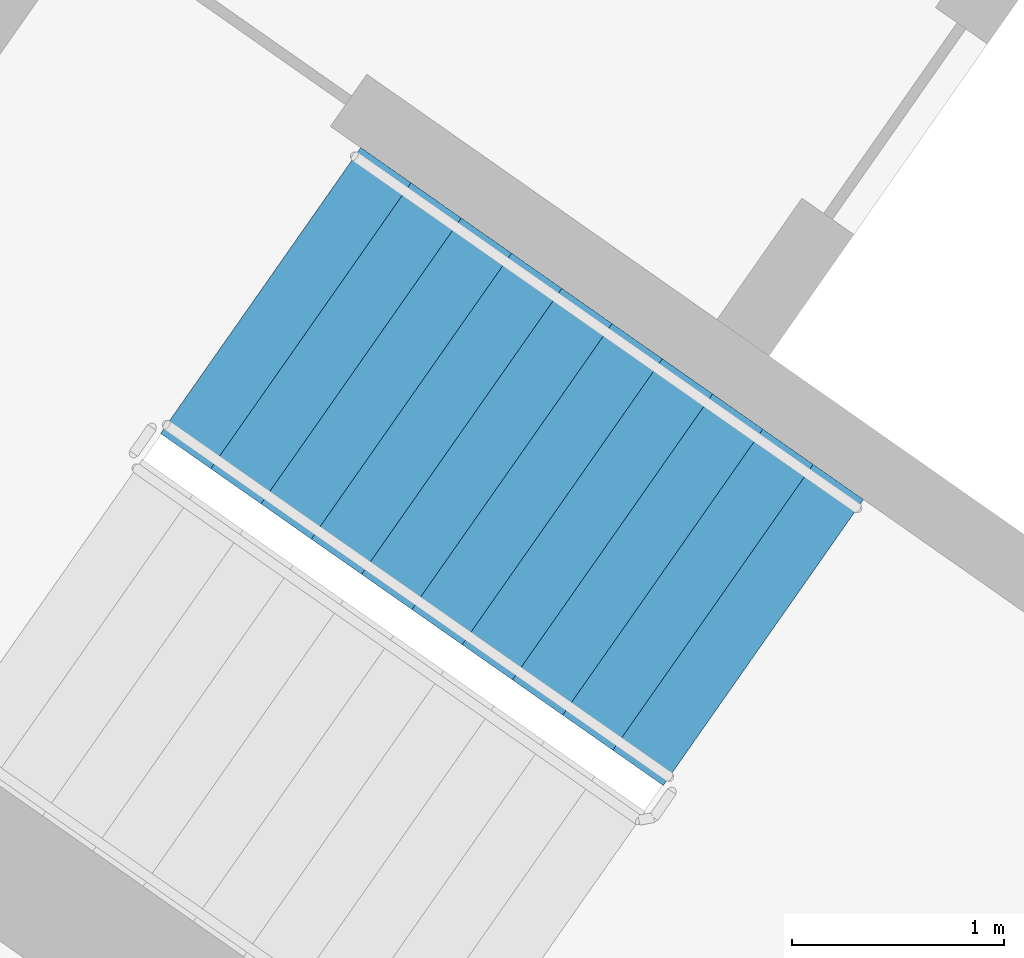
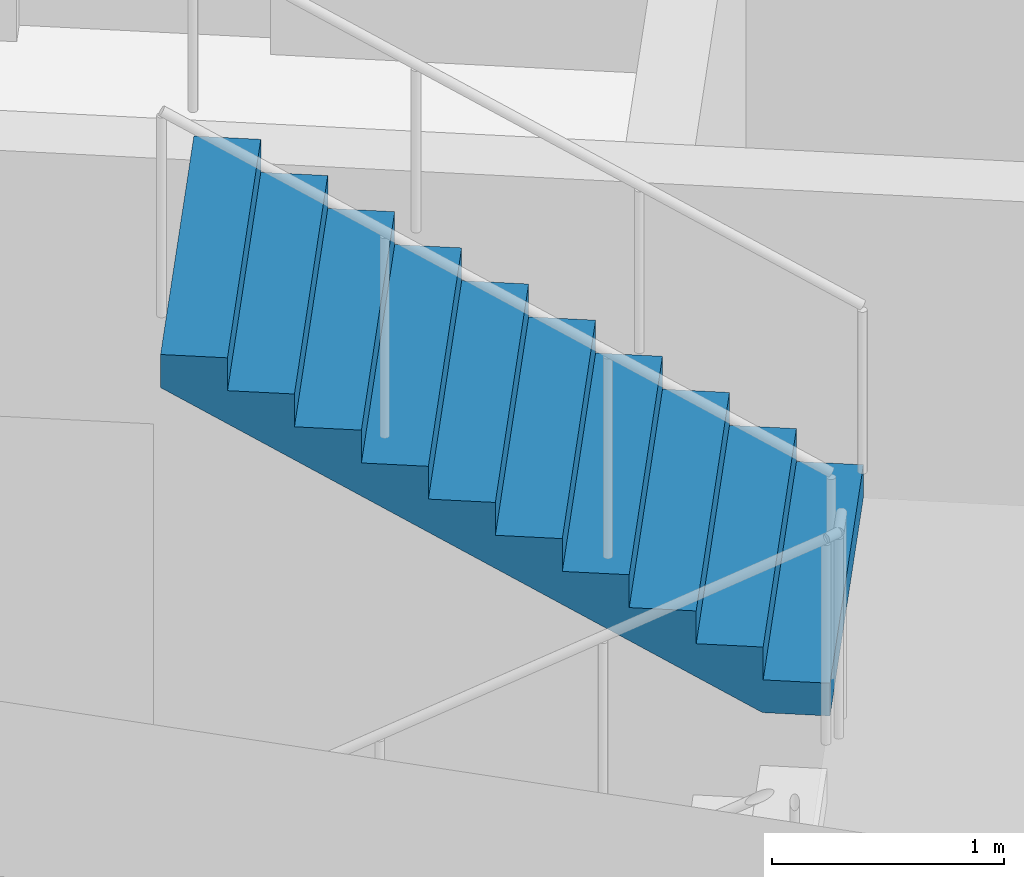
# One storey, part 10 of 28: 1 stair flight, 1 element without a shape of its own.
"""IFC4 building model written with IfcOpenShell, lengths in metres."""

from ifc_helpers import new_model, si_unit, direction, frame, origin, place, context, subcontext, project, spatial, faceted_brep, material, type_object, element, aggregate, save


model = new_model("IFC4")

# Units and contexts
model_context = context("Model", 3, precision=1e-05, world=origin(), true_north=direction((0.0, 1.0)))
body_context = subcontext(model_context, "Body", "Model", "MODEL_VIEW")
ifc_project = project(units=[si_unit("LENGTHUNIT", "METRE"), si_unit("AREAUNIT", "SQUARE_METRE"), si_unit("VOLUMEUNIT", "CUBIC_METRE"), si_unit("PLANEANGLEUNIT", "RADIAN"), si_unit("MASSUNIT", "GRAM", prefix="KILO")], contexts=[model_context])

# Site, building, storey
site_placement = place(None, origin())
site = spatial("IfcSite", under=ifc_project, at=site_placement, CompositionType="ELEMENT")
building_placement = place(site_placement, origin())
building = spatial("IfcBuilding", under=site, at=building_placement, Name="Qamariyya Broadcast Tower", CompositionType="ELEMENT")
storey_placement = place(building_placement, frame((0.0, 0.0, 245.5)))
storey = spatial("IfcBuildingStorey", under=building, at=storey_placement, Name="L59", CompositionType="ELEMENT", Elevation=245.5)

# Stair, stair flight
ifc_material = material(Name="Concrete C50/60", Category="concrete")
stair_type = type_object("IfcStairType", Name="Exit stair 22 risers of 173 mm", PredefinedType="HALF_TURN_STAIR", material=ifc_material)
stair_placement = place(storey_placement, origin())
stair = element("IfcStair", 1, at=stair_placement, inside=storey, type_object=stair_type, Name="L59 Stair W1", PredefinedType="HALF_TURN_STAIR")
stair_flight_type = type_object("IfcStairFlightType", Name="Exit stair flight 11 risers of 173 mm", PredefinedType="STRAIGHT", material=ifc_material)
stair_flight_placement = place(storey_placement, frame((-43.660888671875, -57.17138671875, 1.89990234375), z_axis=(0.0, 0.0, 1.0), x_axis=(-0.819152044289, 0.573576436351, 0.0)))
stair_flight = element("IfcStairFlight", 2, at=stair_flight_placement, type_object=stair_flight_type, Name="ST-W1 flight 2", NumberOfRisers=11, NumberOfTreads=10, PredefinedType="STRAIGHT", RiserHeight=0.172727273, TreadLength=0.29, context=body_context, shape_type="Brep", body=[
    faceted_brep([(0.0, 0.824951171875, 0.0), (0.0, 0.824951171875, 0.172607421875), (0.2900390625, 0.824951171875, 0.172607421875), (0.2900390625, 0.824951171875, 0.345458984375), (0.580078125, 0.824951171875, 0.345458984375), (0.580078125, 0.824951171875, 0.51806640625), (0.8701171875, 0.824951171875, 0.51806640625), (0.8701171875, 0.824951171875, 0.69091796875), (1.159912109375, 0.824951171875, 0.69091796875), (1.159912109375, 0.824951171875, 0.863525390625), (1.449951171875, 0.824951171875, 0.863525390625), (1.449951171875, 0.824951171875, 1.036376953125), (1.739990234375, 0.824951171875, 1.036376953125), (1.739990234375, 0.824951171875, 1.208984375), (2.030029296875, 0.824951171875, 1.208984375), (2.030029296875, 0.824951171875, 1.3818359375), (2.320068359375, 0.824951171875, 1.3818359375), (2.320068359375, 0.824951171875, 1.554443359375), (2.610107421875, 0.824951171875, 1.554443359375), (2.610107421875, 0.824951171875, 1.727294921875), (2.89990234375, 0.824951171875, 1.727294921875), (2.89990234375, 0.824951171875, 1.552734375), (0.29296875, 0.824951171875, 0.0), (0.29296875, -0.824951171875, 0.0), (2.89990234375, -0.824951171875, 1.552734375), (2.89990234375, -0.824951171875, 1.727294921875), (2.610107421875, -0.824951171875, 1.727294921875), (2.610107421875, -0.824951171875, 1.554443359375), (2.320068359375, -0.824951171875, 1.554443359375), (2.320068359375, -0.824951171875, 1.3818359375), (2.030029296875, -0.824951171875, 1.3818359375), (2.030029296875, -0.824951171875, 1.208984375), (1.739990234375, -0.824951171875, 1.208984375), (1.739990234375, -0.824951171875, 1.036376953125), (1.449951171875, -0.824951171875, 1.036376953125), (1.449951171875, -0.824951171875, 0.863525390625), (1.159912109375, -0.824951171875, 0.863525390625), (1.159912109375, -0.824951171875, 0.69091796875), (0.8701171875, -0.824951171875, 0.69091796875), (0.8701171875, -0.824951171875, 0.51806640625), (0.580078125, -0.824951171875, 0.51806640625), (0.580078125, -0.824951171875, 0.345458984375), (0.2900390625, -0.824951171875, 0.345458984375), (0.2900390625, -0.824951171875, 0.172607421875), (0.0, -0.824951171875, 0.172607421875), (0.0, -0.824951171875, 0.0), (0.0, 0.10009765625, 0.0), (0.0, 0.086669921875, 0.0), (0.0, 0.0732421875, 0.0), (0.0, 0.06005859375, 0.0), (0.0, 0.046630859375, 0.0), (0.0, 0.033447265625, 0.0), (0.0, 0.02001953125, 0.0), (0.0, 0.006591796875, 0.0), (0.0, -0.006591796875, 0.0), (0.0, -0.02001953125, 0.0), (0.0, -0.033447265625, 0.0), (0.0, -0.046630859375, 0.0), (0.0, -0.06005859375, 0.0), (0.0, -0.0732421875, 0.0), (0.0, -0.086669921875, 0.0), (0.0, -0.10009765625, 0.0), (0.0, -0.10009765625, 0.172607421875), (0.0, -0.086669921875, 0.172607421875), (0.0, -0.0732421875, 0.172607421875), (0.0, -0.06005859375, 0.172607421875), (0.0, -0.046630859375, 0.172607421875), (0.0, -0.033447265625, 0.172607421875), (0.0, -0.02001953125, 0.172607421875), (0.0, -0.006591796875, 0.172607421875), (0.0, 0.006591796875, 0.172607421875), (0.0, 0.02001953125, 0.172607421875), (0.0, 0.033447265625, 0.172607421875), (0.0, 0.046630859375, 0.172607421875), (0.0, 0.06005859375, 0.172607421875), (0.0, 0.0732421875, 0.172607421875), (0.0, 0.086669921875, 0.172607421875), (0.0, 0.10009765625, 0.172607421875), (0.2900390625, -0.10009765625, 0.172607421875), (0.2900390625, -0.086669921875, 0.172607421875), (0.2900390625, -0.0732421875, 0.172607421875), (0.2900390625, -0.06005859375, 0.172607421875), (0.2900390625, -0.046630859375, 0.172607421875), (0.2900390625, -0.033447265625, 0.172607421875), (0.2900390625, -0.02001953125, 0.172607421875), (0.2900390625, -0.006591796875, 0.172607421875), (0.2900390625, 0.006591796875, 0.172607421875), (0.2900390625, 0.02001953125, 0.172607421875), (0.2900390625, 0.033447265625, 0.172607421875), (0.2900390625, 0.046630859375, 0.172607421875), (0.2900390625, 0.06005859375, 0.172607421875), (0.2900390625, 0.0732421875, 0.172607421875), (0.2900390625, 0.086669921875, 0.172607421875), (0.2900390625, 0.10009765625, 0.172607421875), (0.2900390625, -0.10009765625, 0.345458984375), (0.2900390625, -0.086669921875, 0.345458984375), (0.2900390625, -0.0732421875, 0.345458984375), (0.2900390625, -0.06005859375, 0.345458984375), (0.2900390625, -0.046630859375, 0.345458984375), (0.2900390625, -0.033447265625, 0.345458984375), (0.2900390625, -0.02001953125, 0.345458984375), (0.2900390625, -0.006591796875, 0.345458984375), (0.2900390625, 0.006591796875, 0.345458984375), (0.2900390625, 0.02001953125, 0.345458984375), (0.2900390625, 0.033447265625, 0.345458984375), (0.2900390625, 0.046630859375, 0.345458984375), (0.2900390625, 0.06005859375, 0.345458984375), (0.2900390625, 0.0732421875, 0.345458984375), (0.2900390625, 0.086669921875, 0.345458984375), (0.2900390625, 0.10009765625, 0.345458984375), (0.580078125, -0.10009765625, 0.345458984375), (0.580078125, -0.086669921875, 0.345458984375), (0.580078125, -0.0732421875, 0.345458984375), (0.580078125, -0.06005859375, 0.345458984375), (0.580078125, -0.046630859375, 0.345458984375), (0.580078125, -0.033447265625, 0.345458984375), (0.580078125, -0.02001953125, 0.345458984375), (0.580078125, -0.006591796875, 0.345458984375), (0.580078125, 0.006591796875, 0.345458984375), (0.580078125, 0.02001953125, 0.345458984375), (0.580078125, 0.033447265625, 0.345458984375), (0.580078125, 0.046630859375, 0.345458984375), (0.580078125, 0.06005859375, 0.345458984375), (0.580078125, 0.0732421875, 0.345458984375), (0.580078125, 0.086669921875, 0.345458984375), (0.580078125, 0.10009765625, 0.345458984375), (0.580078125, -0.10009765625, 0.51806640625), (0.580078125, -0.086669921875, 0.51806640625), (0.580078125, -0.0732421875, 0.51806640625), (0.580078125, -0.06005859375, 0.51806640625), (0.580078125, -0.046630859375, 0.51806640625), (0.580078125, -0.033447265625, 0.51806640625), (0.580078125, -0.02001953125, 0.51806640625), (0.580078125, -0.006591796875, 0.51806640625), (0.580078125, 0.006591796875, 0.51806640625), (0.580078125, 0.02001953125, 0.51806640625), (0.580078125, 0.033447265625, 0.51806640625), (0.580078125, 0.046630859375, 0.51806640625), (0.580078125, 0.06005859375, 0.51806640625), (0.580078125, 0.0732421875, 0.51806640625), (0.580078125, 0.086669921875, 0.51806640625), (0.580078125, 0.10009765625, 0.51806640625), (0.8701171875, -0.10009765625, 0.51806640625), (0.8701171875, -0.086669921875, 0.51806640625), (0.8701171875, -0.0732421875, 0.51806640625), (0.8701171875, -0.06005859375, 0.51806640625), (0.8701171875, -0.046630859375, 0.51806640625), (0.8701171875, -0.033447265625, 0.51806640625), (0.8701171875, -0.02001953125, 0.51806640625), (0.8701171875, -0.006591796875, 0.51806640625), (0.8701171875, 0.006591796875, 0.51806640625), (0.8701171875, 0.02001953125, 0.51806640625), (0.8701171875, 0.033447265625, 0.51806640625), (0.8701171875, 0.046630859375, 0.51806640625), (0.8701171875, 0.06005859375, 0.51806640625), (0.8701171875, 0.0732421875, 0.51806640625), (0.8701171875, 0.086669921875, 0.51806640625), (0.8701171875, 0.10009765625, 0.51806640625), (0.8701171875, -0.10009765625, 0.69091796875), (0.8701171875, -0.086669921875, 0.69091796875), (0.8701171875, -0.0732421875, 0.69091796875), (0.8701171875, -0.06005859375, 0.69091796875), (0.8701171875, -0.046630859375, 0.69091796875), (0.8701171875, -0.033447265625, 0.69091796875), (0.8701171875, -0.02001953125, 0.69091796875), (0.8701171875, -0.006591796875, 0.69091796875), (0.8701171875, 0.006591796875, 0.69091796875), (0.8701171875, 0.02001953125, 0.69091796875), (0.8701171875, 0.033447265625, 0.69091796875), (0.8701171875, 0.046630859375, 0.69091796875), (0.8701171875, 0.06005859375, 0.69091796875), (0.8701171875, 0.0732421875, 0.69091796875), (0.8701171875, 0.086669921875, 0.69091796875), (0.8701171875, 0.10009765625, 0.69091796875), (1.159912109375, -0.10009765625, 0.69091796875), (1.159912109375, -0.086669921875, 0.69091796875), (1.159912109375, -0.0732421875, 0.69091796875), (1.159912109375, -0.06005859375, 0.69091796875), (1.159912109375, -0.046630859375, 0.69091796875), (1.159912109375, -0.033447265625, 0.69091796875), (1.159912109375, -0.02001953125, 0.69091796875), (1.159912109375, -0.006591796875, 0.69091796875), (1.159912109375, 0.006591796875, 0.69091796875), (1.159912109375, 0.02001953125, 0.69091796875), (1.159912109375, 0.033447265625, 0.69091796875), (1.159912109375, 0.046630859375, 0.69091796875), (1.159912109375, 0.06005859375, 0.69091796875), (1.159912109375, 0.0732421875, 0.69091796875), (1.159912109375, 0.086669921875, 0.69091796875), (1.159912109375, 0.10009765625, 0.69091796875), (1.159912109375, -0.10009765625, 0.863525390625), (1.159912109375, -0.086669921875, 0.863525390625), (1.159912109375, -0.0732421875, 0.863525390625), (1.159912109375, -0.06005859375, 0.863525390625), (1.159912109375, -0.046630859375, 0.863525390625), (1.159912109375, -0.033447265625, 0.863525390625), (1.159912109375, -0.02001953125, 0.863525390625), (1.159912109375, -0.006591796875, 0.863525390625), (1.159912109375, 0.006591796875, 0.863525390625), (1.159912109375, 0.02001953125, 0.863525390625), (1.159912109375, 0.033447265625, 0.863525390625), (1.159912109375, 0.046630859375, 0.863525390625), (1.159912109375, 0.06005859375, 0.863525390625), (1.159912109375, 0.0732421875, 0.863525390625), (1.159912109375, 0.086669921875, 0.863525390625), (1.159912109375, 0.10009765625, 0.863525390625), (1.449951171875, -0.10009765625, 0.863525390625), (1.449951171875, -0.086669921875, 0.863525390625), (1.449951171875, -0.0732421875, 0.863525390625), (1.449951171875, -0.06005859375, 0.863525390625), (1.449951171875, -0.046630859375, 0.863525390625), (1.449951171875, -0.033447265625, 0.863525390625), (1.449951171875, -0.02001953125, 0.863525390625), (1.449951171875, -0.006591796875, 0.863525390625), (1.449951171875, 0.006591796875, 0.863525390625), (1.449951171875, 0.02001953125, 0.863525390625), (1.449951171875, 0.033447265625, 0.863525390625), (1.449951171875, 0.046630859375, 0.863525390625), (1.449951171875, 0.06005859375, 0.863525390625), (1.449951171875, 0.0732421875, 0.863525390625), (1.449951171875, 0.086669921875, 0.863525390625), (1.449951171875, 0.10009765625, 0.863525390625), (1.449951171875, -0.10009765625, 1.036376953125), (1.449951171875, -0.086669921875, 1.036376953125), (1.449951171875, -0.0732421875, 1.036376953125), (1.449951171875, -0.06005859375, 1.036376953125), (1.449951171875, -0.046630859375, 1.036376953125), (1.449951171875, -0.033447265625, 1.036376953125), (1.449951171875, -0.02001953125, 1.036376953125), (1.449951171875, -0.006591796875, 1.036376953125), (1.449951171875, 0.006591796875, 1.036376953125), (1.449951171875, 0.02001953125, 1.036376953125), (1.449951171875, 0.033447265625, 1.036376953125), (1.449951171875, 0.046630859375, 1.036376953125), (1.449951171875, 0.06005859375, 1.036376953125), (1.449951171875, 0.0732421875, 1.036376953125), (1.449951171875, 0.086669921875, 1.036376953125), (1.449951171875, 0.10009765625, 1.036376953125), (1.739990234375, -0.10009765625, 1.036376953125), (1.739990234375, -0.086669921875, 1.036376953125), (1.739990234375, -0.0732421875, 1.036376953125), (1.739990234375, -0.06005859375, 1.036376953125), (1.739990234375, -0.046630859375, 1.036376953125), (1.739990234375, -0.033447265625, 1.036376953125), (1.739990234375, -0.02001953125, 1.036376953125), (1.739990234375, -0.006591796875, 1.036376953125), (1.739990234375, 0.006591796875, 1.036376953125), (1.739990234375, 0.02001953125, 1.036376953125), (1.739990234375, 0.033447265625, 1.036376953125), (1.739990234375, 0.046630859375, 1.036376953125), (1.739990234375, 0.06005859375, 1.036376953125), (1.739990234375, 0.0732421875, 1.036376953125), (1.739990234375, 0.086669921875, 1.036376953125), (1.739990234375, 0.10009765625, 1.036376953125), (1.739990234375, -0.10009765625, 1.208984375), (1.739990234375, -0.086669921875, 1.208984375), (1.739990234375, -0.0732421875, 1.208984375), (1.739990234375, -0.06005859375, 1.208984375), (1.739990234375, -0.046630859375, 1.208984375), (1.739990234375, -0.033447265625, 1.208984375), (1.739990234375, -0.02001953125, 1.208984375), (1.739990234375, -0.006591796875, 1.208984375), (1.739990234375, 0.006591796875, 1.208984375), (1.739990234375, 0.02001953125, 1.208984375), (1.739990234375, 0.033447265625, 1.208984375), (1.739990234375, 0.046630859375, 1.208984375), (1.739990234375, 0.06005859375, 1.208984375), (1.739990234375, 0.0732421875, 1.208984375), (1.739990234375, 0.086669921875, 1.208984375), (1.739990234375, 0.10009765625, 1.208984375), (2.030029296875, -0.10009765625, 1.208984375), (2.030029296875, -0.086669921875, 1.208984375), (2.030029296875, -0.0732421875, 1.208984375), (2.030029296875, -0.06005859375, 1.208984375), (2.030029296875, -0.046630859375, 1.208984375), (2.030029296875, -0.033447265625, 1.208984375), (2.030029296875, -0.02001953125, 1.208984375), (2.030029296875, -0.006591796875, 1.208984375), (2.030029296875, 0.006591796875, 1.208984375), (2.030029296875, 0.02001953125, 1.208984375), (2.030029296875, 0.033447265625, 1.208984375), (2.030029296875, 0.046630859375, 1.208984375), (2.030029296875, 0.06005859375, 1.208984375), (2.030029296875, 0.0732421875, 1.208984375), (2.030029296875, 0.086669921875, 1.208984375), (2.030029296875, 0.10009765625, 1.208984375), (2.030029296875, -0.10009765625, 1.3818359375), (2.030029296875, -0.086669921875, 1.3818359375), (2.030029296875, -0.0732421875, 1.3818359375), (2.030029296875, -0.06005859375, 1.3818359375), (2.030029296875, -0.046630859375, 1.3818359375), (2.030029296875, -0.033447265625, 1.3818359375), (2.030029296875, -0.02001953125, 1.3818359375), (2.030029296875, -0.006591796875, 1.3818359375), (2.030029296875, 0.006591796875, 1.3818359375), (2.030029296875, 0.02001953125, 1.3818359375), (2.030029296875, 0.033447265625, 1.3818359375), (2.030029296875, 0.046630859375, 1.3818359375), (2.030029296875, 0.06005859375, 1.3818359375), (2.030029296875, 0.0732421875, 1.3818359375), (2.030029296875, 0.086669921875, 1.3818359375), (2.030029296875, 0.10009765625, 1.3818359375), (2.320068359375, -0.10009765625, 1.3818359375), (2.320068359375, -0.086669921875, 1.3818359375), (2.320068359375, -0.0732421875, 1.3818359375), (2.320068359375, -0.06005859375, 1.3818359375), (2.320068359375, -0.046630859375, 1.3818359375), (2.320068359375, -0.033447265625, 1.3818359375), (2.320068359375, -0.02001953125, 1.3818359375), (2.320068359375, -0.006591796875, 1.3818359375), (2.320068359375, 0.006591796875, 1.3818359375), (2.320068359375, 0.02001953125, 1.3818359375), (2.320068359375, 0.033447265625, 1.3818359375), (2.320068359375, 0.046630859375, 1.3818359375), (2.320068359375, 0.06005859375, 1.3818359375), (2.320068359375, 0.0732421875, 1.3818359375), (2.320068359375, 0.086669921875, 1.3818359375), (2.320068359375, 0.10009765625, 1.3818359375), (2.320068359375, -0.10009765625, 1.554443359375), (2.320068359375, -0.086669921875, 1.554443359375), (2.320068359375, -0.0732421875, 1.554443359375), (2.320068359375, -0.06005859375, 1.554443359375), (2.320068359375, -0.046630859375, 1.554443359375), (2.320068359375, -0.033447265625, 1.554443359375), (2.320068359375, -0.02001953125, 1.554443359375), (2.320068359375, -0.006591796875, 1.554443359375), (2.320068359375, 0.006591796875, 1.554443359375), (2.320068359375, 0.02001953125, 1.554443359375), (2.320068359375, 0.033447265625, 1.554443359375), (2.320068359375, 0.046630859375, 1.554443359375), (2.320068359375, 0.06005859375, 1.554443359375), (2.320068359375, 0.0732421875, 1.554443359375), (2.320068359375, 0.086669921875, 1.554443359375), (2.320068359375, 0.10009765625, 1.554443359375), (2.610107421875, -0.10009765625, 1.554443359375), (2.610107421875, -0.086669921875, 1.554443359375), (2.610107421875, -0.0732421875, 1.554443359375), (2.610107421875, -0.06005859375, 1.554443359375), (2.610107421875, -0.046630859375, 1.554443359375), (2.610107421875, -0.033447265625, 1.554443359375), (2.610107421875, -0.02001953125, 1.554443359375), (2.610107421875, -0.006591796875, 1.554443359375), (2.610107421875, 0.006591796875, 1.554443359375), (2.610107421875, 0.02001953125, 1.554443359375), (2.610107421875, 0.033447265625, 1.554443359375), (2.610107421875, 0.046630859375, 1.554443359375), (2.610107421875, 0.06005859375, 1.554443359375), (2.610107421875, 0.0732421875, 1.554443359375), (2.610107421875, 0.086669921875, 1.554443359375), (2.610107421875, 0.10009765625, 1.554443359375), (2.610107421875, -0.10009765625, 1.727294921875), (2.610107421875, -0.086669921875, 1.727294921875), (2.610107421875, -0.0732421875, 1.727294921875), (2.610107421875, -0.06005859375, 1.727294921875), (2.610107421875, -0.046630859375, 1.727294921875), (2.610107421875, -0.033447265625, 1.727294921875), (2.610107421875, -0.02001953125, 1.727294921875), (2.610107421875, -0.006591796875, 1.727294921875), (2.610107421875, 0.006591796875, 1.727294921875), (2.610107421875, 0.02001953125, 1.727294921875), (2.610107421875, 0.033447265625, 1.727294921875), (2.610107421875, 0.046630859375, 1.727294921875), (2.610107421875, 0.06005859375, 1.727294921875), (2.610107421875, 0.0732421875, 1.727294921875), (2.610107421875, 0.086669921875, 1.727294921875), (2.610107421875, 0.10009765625, 1.727294921875), (2.89990234375, -0.10009765625, 1.727294921875), (2.89990234375, -0.086669921875, 1.727294921875), (2.89990234375, -0.0732421875, 1.727294921875), (2.89990234375, -0.06005859375, 1.727294921875), (2.89990234375, -0.046630859375, 1.727294921875), (2.89990234375, -0.033447265625, 1.727294921875), (2.89990234375, -0.02001953125, 1.727294921875), (2.89990234375, -0.006591796875, 1.727294921875), (2.89990234375, 0.006591796875, 1.727294921875), (2.89990234375, 0.02001953125, 1.727294921875), (2.89990234375, 0.033447265625, 1.727294921875), (2.89990234375, 0.046630859375, 1.727294921875), (2.89990234375, 0.06005859375, 1.727294921875), (2.89990234375, 0.0732421875, 1.727294921875), (2.89990234375, 0.086669921875, 1.727294921875), (2.89990234375, 0.10009765625, 1.727294921875), (2.89990234375, -0.10009765625, 1.552734375), (2.89990234375, -0.086669921875, 1.552734375), (2.89990234375, -0.0732421875, 1.552734375), (2.89990234375, -0.06005859375, 1.552734375), (2.89990234375, -0.046630859375, 1.552734375), (2.89990234375, -0.033447265625, 1.552734375), (2.89990234375, -0.02001953125, 1.552734375), (2.89990234375, -0.006591796875, 1.552734375), (2.89990234375, 0.006591796875, 1.552734375), (2.89990234375, 0.02001953125, 1.552734375), (2.89990234375, 0.033447265625, 1.552734375), (2.89990234375, 0.046630859375, 1.552734375), (2.89990234375, 0.06005859375, 1.552734375), (2.89990234375, 0.0732421875, 1.552734375), (2.89990234375, 0.086669921875, 1.552734375), (2.89990234375, 0.10009765625, 1.552734375), (0.29296875, -0.10009765625, 0.0), (0.29296875, -0.086669921875, 0.0), (0.29296875, -0.0732421875, 0.0), (0.29296875, -0.06005859375, 0.0), (0.29296875, -0.046630859375, 0.0), (0.29296875, -0.033447265625, 0.0), (0.29296875, -0.02001953125, 0.0), (0.29296875, -0.006591796875, 0.0), (0.29296875, 0.006591796875, 0.0), (0.29296875, 0.02001953125, 0.0), (0.29296875, 0.033447265625, 0.0), (0.29296875, 0.046630859375, 0.0), (0.29296875, 0.06005859375, 0.0), (0.29296875, 0.0732421875, 0.0), (0.29296875, 0.086669921875, 0.0), (0.29296875, 0.10009765625, 0.0)], [[[0, 1, 2, 3, 4, 5, 6, 7, 8, 9, 10, 11, 12, 13, 14, 15, 16, 17, 18, 19, 20, 21, 22]], [[23, 24, 25, 26, 27, 28, 29, 30, 31, 32, 33, 34, 35, 36, 37, 38, 39, 40, 41, 42, 43, 44, 45]], [[0, 46, 47, 48, 49, 50, 51, 52, 53, 54, 55, 56, 57, 58, 59, 60, 61, 45, 44, 62, 63, 64, 65, 66, 67, 68, 69, 70, 71, 72, 73, 74, 75, 76, 77, 1]], [[1, 77, 76, 75, 74, 73, 72, 71, 70, 69, 68, 67, 66, 65, 64, 63, 62, 44, 43, 78, 79, 80, 81, 82, 83, 84, 85, 86, 87, 88, 89, 90, 91, 92, 93, 2]], [[2, 93, 92, 91, 90, 89, 88, 87, 86, 85, 84, 83, 82, 81, 80, 79, 78, 43, 42, 94, 95, 96, 97, 98, 99, 100, 101, 102, 103, 104, 105, 106, 107, 108, 109, 3]], [[3, 109, 108, 107, 106, 105, 104, 103, 102, 101, 100, 99, 98, 97, 96, 95, 94, 42, 41, 110, 111, 112, 113, 114, 115, 116, 117, 118, 119, 120, 121, 122, 123, 124, 125, 4]], [[4, 125, 124, 123, 122, 121, 120, 119, 118, 117, 116, 115, 114, 113, 112, 111, 110, 41, 40, 126, 127, 128, 129, 130, 131, 132, 133, 134, 135, 136, 137, 138, 139, 140, 141, 5]], [[5, 141, 140, 139, 138, 137, 136, 135, 134, 133, 132, 131, 130, 129, 128, 127, 126, 40, 39, 142, 143, 144, 145, 146, 147, 148, 149, 150, 151, 152, 153, 154, 155, 156, 157, 6]], [[6, 157, 156, 155, 154, 153, 152, 151, 150, 149, 148, 147, 146, 145, 144, 143, 142, 39, 38, 158, 159, 160, 161, 162, 163, 164, 165, 166, 167, 168, 169, 170, 171, 172, 173, 7]], [[7, 173, 172, 171, 170, 169, 168, 167, 166, 165, 164, 163, 162, 161, 160, 159, 158, 38, 37, 174, 175, 176, 177, 178, 179, 180, 181, 182, 183, 184, 185, 186, 187, 188, 189, 8]], [[8, 189, 188, 187, 186, 185, 184, 183, 182, 181, 180, 179, 178, 177, 176, 175, 174, 37, 36, 190, 191, 192, 193, 194, 195, 196, 197, 198, 199, 200, 201, 202, 203, 204, 205, 9]], [[9, 205, 204, 203, 202, 201, 200, 199, 198, 197, 196, 195, 194, 193, 192, 191, 190, 36, 35, 206, 207, 208, 209, 210, 211, 212, 213, 214, 215, 216, 217, 218, 219, 220, 221, 10]], [[10, 221, 220, 219, 218, 217, 216, 215, 214, 213, 212, 211, 210, 209, 208, 207, 206, 35, 34, 222, 223, 224, 225, 226, 227, 228, 229, 230, 231, 232, 233, 234, 235, 236, 237, 11]], [[11, 237, 236, 235, 234, 233, 232, 231, 230, 229, 228, 227, 226, 225, 224, 223, 222, 34, 33, 238, 239, 240, 241, 242, 243, 244, 245, 246, 247, 248, 249, 250, 251, 252, 253, 12]], [[12, 253, 252, 251, 250, 249, 248, 247, 246, 245, 244, 243, 242, 241, 240, 239, 238, 33, 32, 254, 255, 256, 257, 258, 259, 260, 261, 262, 263, 264, 265, 266, 267, 268, 269, 13]], [[13, 269, 268, 267, 266, 265, 264, 263, 262, 261, 260, 259, 258, 257, 256, 255, 254, 32, 31, 270, 271, 272, 273, 274, 275, 276, 277, 278, 279, 280, 281, 282, 283, 284, 285, 14]], [[14, 285, 284, 283, 282, 281, 280, 279, 278, 277, 276, 275, 274, 273, 272, 271, 270, 31, 30, 286, 287, 288, 289, 290, 291, 292, 293, 294, 295, 296, 297, 298, 299, 300, 301, 15]], [[15, 301, 300, 299, 298, 297, 296, 295, 294, 293, 292, 291, 290, 289, 288, 287, 286, 30, 29, 302, 303, 304, 305, 306, 307, 308, 309, 310, 311, 312, 313, 314, 315, 316, 317, 16]], [[16, 317, 316, 315, 314, 313, 312, 311, 310, 309, 308, 307, 306, 305, 304, 303, 302, 29, 28, 318, 319, 320, 321, 322, 323, 324, 325, 326, 327, 328, 329, 330, 331, 332, 333, 17]], [[17, 333, 332, 331, 330, 329, 328, 327, 326, 325, 324, 323, 322, 321, 320, 319, 318, 28, 27, 334, 335, 336, 337, 338, 339, 340, 341, 342, 343, 344, 345, 346, 347, 348, 349, 18]], [[18, 349, 348, 347, 346, 345, 344, 343, 342, 341, 340, 339, 338, 337, 336, 335, 334, 27, 26, 350, 351, 352, 353, 354, 355, 356, 357, 358, 359, 360, 361, 362, 363, 364, 365, 19]], [[19, 365, 364, 363, 362, 361, 360, 359, 358, 357, 356, 355, 354, 353, 352, 351, 350, 26, 25, 366, 367, 368, 369, 370, 371, 372, 373, 374, 375, 376, 377, 378, 379, 380, 381, 20]], [[20, 381, 380, 379, 378, 377, 376, 375, 374, 373, 372, 371, 370, 369, 368, 367, 366, 25, 24, 382, 383, 384, 385, 386, 387, 388, 389, 390, 391, 392, 393, 394, 395, 396, 397, 21]], [[21, 397, 396, 395, 394, 393, 392, 391, 390, 389, 388, 387, 386, 385, 384, 383, 382, 24, 23, 398, 399, 400, 401, 402, 403, 404, 405, 406, 407, 408, 409, 410, 411, 412, 413, 22]], [[22, 413, 412, 411, 410, 409, 408, 407, 406, 405, 404, 403, 402, 401, 400, 399, 398, 23, 45, 61, 60, 59, 58, 57, 56, 55, 54, 53, 52, 51, 50, 49, 48, 47, 46, 0]]]),
])
aggregate(stair, [stair_flight])

save(model, "model.ifc")
